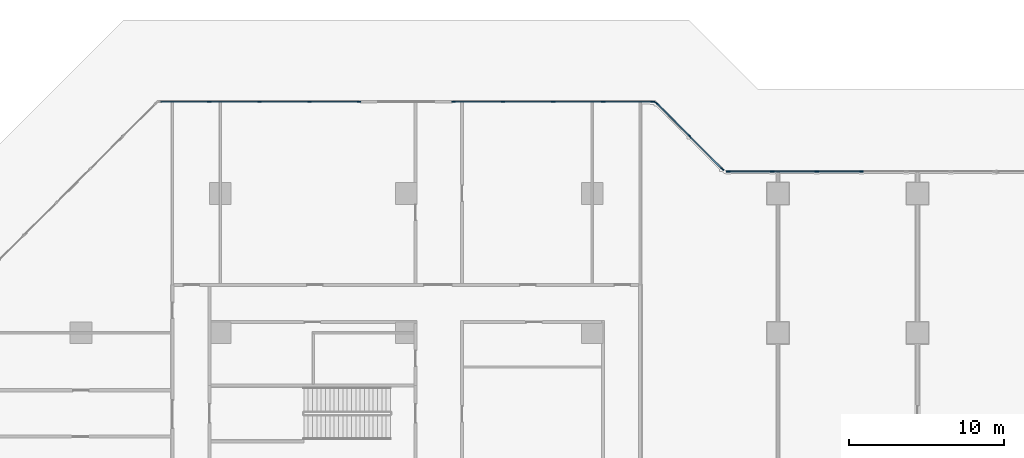
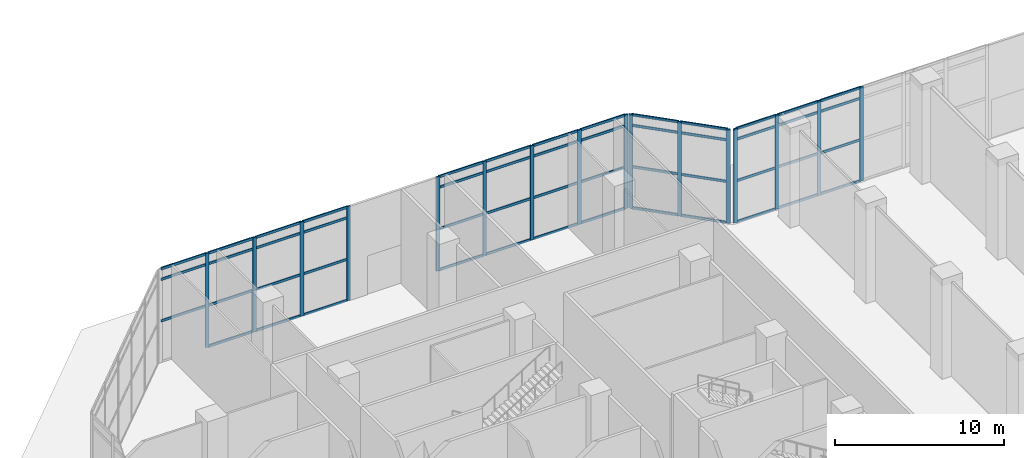
# One storey, part 9 of 34: 67 members, 4 elements without a shape of their own.
"""IFC4 building model written with IfcOpenShell, lengths in metres."""

from ifc_helpers import new_model, si_unit, direction, frame, origin, origin_2d, place, context, subcontext, project, spatial, rectangle, extrude, material, layer, layer_set, material_profile, profile_set, type_object, element, aggregate, save


model = new_model("IFC4")

# Units and contexts
model_context = context("Model", 3, precision=1e-05, world=origin(), true_north=direction((0.0, 1.0)))
body_context = subcontext(model_context, "Body", "Model", "MODEL_VIEW")
ifc_project = project(units=[si_unit("LENGTHUNIT", "METRE"), si_unit("AREAUNIT", "SQUARE_METRE"), si_unit("VOLUMEUNIT", "CUBIC_METRE"), si_unit("PLANEANGLEUNIT", "RADIAN"), si_unit("MASSUNIT", "GRAM", prefix="KILO")], contexts=[model_context])

# Site, building, storey
site_placement = place(None, origin())
site = spatial("IfcSite", under=ifc_project, at=site_placement, CompositionType="ELEMENT")
building_placement = place(site_placement, origin())
building = spatial("IfcBuilding", under=site, at=building_placement, Name="Chenar Terraces", CompositionType="ELEMENT")
storey_placement = place(building_placement, origin())
storey = spatial("IfcBuildingStorey", under=building, at=storey_placement, Name="L00", CompositionType="ELEMENT", Elevation=0.0)

# Curtain wall, members
ifc_material_1 = material(Name="Aluminium framed glazing", Category="aluminium")
ifc_layer = layer(ifc_material_1, 0.14990234375)
ifc_layer_set = layer_set([ifc_layer], Name="Aluminium framed glazing")
curtain_wall_type = type_object("IfcCurtainWallType", Name="Lobby curtain wall", PredefinedType="NOTDEFINED", material=ifc_layer_set)
placement = place(storey_placement, origin())
curtain_wall_1 = element("IfcCurtainWall", 1, at=placement, inside=storey, type_object=curtain_wall_type, Name="Lobby curtain wall", PredefinedType="NOTDEFINED")
ifc_material_2 = material(Name="Aluminium", Category="aluminium")
ifc_material_profile_1 = material_profile(ifc_material_2, rectangle(XDim=0.080078125, YDim=0.25, at=origin_2d()), Name="Lobby glazing mullion 80 x 250")
ifc_profile_set_1 = profile_set([ifc_material_profile_1], Name="Aluminium")
member_type_1 = type_object("IfcMemberType", Name="Lobby glazing mullion 80 x 250", PredefinedType="MULLION", material=ifc_profile_set_1)
member_1_placement = place(storey_placement, frame((32.404541015625, 73.581298828125, 0.0), z_axis=(0.0, 0.0, 1.0), x_axis=(-0.707106781187, -0.707106781187, 0.0)))
member_1 = element("IfcMember", 2, at=member_1_placement, type_object=member_type_1, Name="CW6-010 mullion 1", PredefinedType="MULLION", context=body_context, shape_type="SweptSolid", body=[
    extrude(rectangle(XDim=0.080078125, YDim=0.25, at=origin_2d()), origin(), (0.0, 0.0, 1.0), 6.800048828125),
])
member_2_placement = place(storey_placement, frame((30.288818359375, 75.697021484375, 0.0), z_axis=(0.0, 0.0, 1.0), x_axis=(-0.707106781187, -0.707106781187, 0.0)))
member_2 = element("IfcMember", 3, at=member_2_placement, type_object=member_type_1, Name="CW6-010 mullion 2", PredefinedType="MULLION", context=body_context, shape_type="SweptSolid", body=[
    extrude(rectangle(XDim=0.080078125, YDim=0.25, at=origin_2d()), origin(), (0.0, 0.0, 1.0), 6.800048828125),
])
member_3_placement = place(storey_placement, frame((28.173095703125, 77.8125, 0.0), z_axis=(0.0, 0.0, 1.0), x_axis=(-0.707106781187, -0.707106781187, 0.0)))
member_3 = element("IfcMember", 4, at=member_3_placement, type_object=member_type_1, Name="CW6-010 mullion 3", PredefinedType="MULLION", context=body_context, shape_type="SweptSolid", body=[
    extrude(rectangle(XDim=0.080078125, YDim=0.25, at=origin_2d()), origin(), (0.0, 0.0, 1.0), 6.800048828125),
])

curtain_wall_2 = element("IfcCurtainWall", 5, at=placement, inside=storey, type_object=curtain_wall_type, Name="Lobby curtain wall", PredefinedType="NOTDEFINED")
member_4_placement = place(storey_placement, frame((27.90185546875, 77.925048828125, 0.0), z_axis=(0.0, 0.0, 1.0), x_axis=(0.0, -1.0, 0.0)))
member_4 = element("IfcMember", 6, at=member_4_placement, type_object=member_type_1, Name="CW6-02a0 mullion 1", PredefinedType="MULLION", context=body_context, shape_type="SweptSolid", body=[
    extrude(rectangle(XDim=0.080078125, YDim=0.25, at=origin_2d()), origin(), (0.0, 0.0, 1.0), 6.800048828125),
])
member_5_placement = place(storey_placement, frame((24.70947265625, 77.925048828125, 0.0), z_axis=(0.0, 0.0, 1.0), x_axis=(0.0, -1.0, 0.0)))
member_5 = element("IfcMember", 7, at=member_5_placement, type_object=member_type_1, Name="CW6-02a0 mullion 2", PredefinedType="MULLION", context=body_context, shape_type="SweptSolid", body=[
    extrude(rectangle(XDim=0.080078125, YDim=0.25, at=origin_2d()), origin(), (0.0, 0.0, 1.0), 6.800048828125),
])
member_6_placement = place(storey_placement, frame((21.477294921875, 77.925048828125, 0.0), z_axis=(0.0, 0.0, 1.0), x_axis=(0.0, -1.0, 0.0)))
member_6 = element("IfcMember", 8, at=member_6_placement, type_object=member_type_1, Name="CW6-02a0 mullion 3", PredefinedType="MULLION", context=body_context, shape_type="SweptSolid", body=[
    extrude(rectangle(XDim=0.080078125, YDim=0.25, at=origin_2d()), origin(), (0.0, 0.0, 1.0), 6.800048828125),
])
member_7_placement = place(storey_placement, frame((18.244873046875, 77.925048828125, 0.0), z_axis=(0.0, 0.0, 1.0), x_axis=(0.0, -1.0, 0.0)))
member_7 = element("IfcMember", 9, at=member_7_placement, type_object=member_type_1, Name="CW6-02a0 mullion 4", PredefinedType="MULLION", context=body_context, shape_type="SweptSolid", body=[
    extrude(rectangle(XDim=0.080078125, YDim=0.25, at=origin_2d()), origin(), (0.0, 0.0, 1.0), 6.800048828125),
])
member_8_placement = place(storey_placement, frame((15.052490234375, 77.925048828125, 0.0), z_axis=(0.0, 0.0, 1.0), x_axis=(0.0, -1.0, 0.0)))
member_8 = element("IfcMember", 10, at=member_8_placement, type_object=member_type_1, Name="CW6-02a0 mullion 5", PredefinedType="MULLION", context=body_context, shape_type="SweptSolid", body=[
    extrude(rectangle(XDim=0.080078125, YDim=0.25, at=origin_2d()), origin(), (0.0, 0.0, 1.0), 6.800048828125),
])

curtain_wall_3 = element("IfcCurtainWall", 11, at=placement, inside=storey, type_object=curtain_wall_type, Name="Lobby curtain wall", PredefinedType="NOTDEFINED")
member_9_placement = place(storey_placement, frame((8.947509765625, 77.925048828125, 0.0), z_axis=(0.0, 0.0, 1.0), x_axis=(0.0, -1.0, 0.0)))
member_9 = element("IfcMember", 12, at=member_9_placement, type_object=member_type_1, Name="CW6-02b0 mullion 1", PredefinedType="MULLION", context=body_context, shape_type="SweptSolid", body=[
    extrude(rectangle(XDim=0.080078125, YDim=0.25, at=origin_2d()), origin(), (0.0, 0.0, 1.0), 6.800048828125),
])
member_10_placement = place(storey_placement, frame((5.755126953125, 77.925048828125, 0.0), z_axis=(0.0, 0.0, 1.0), x_axis=(0.0, -1.0, 0.0)))
member_10 = element("IfcMember", 13, at=member_10_placement, type_object=member_type_1, Name="CW6-02b0 mullion 2", PredefinedType="MULLION", context=body_context, shape_type="SweptSolid", body=[
    extrude(rectangle(XDim=0.080078125, YDim=0.25, at=origin_2d()), origin(), (0.0, 0.0, 1.0), 6.800048828125),
])
member_11_placement = place(storey_placement, frame((2.522705078125, 77.925048828125, 0.0), z_axis=(0.0, 0.0, 1.0), x_axis=(0.0, -1.0, 0.0)))
member_11 = element("IfcMember", 14, at=member_11_placement, type_object=member_type_1, Name="CW6-02b0 mullion 3", PredefinedType="MULLION", context=body_context, shape_type="SweptSolid", body=[
    extrude(rectangle(XDim=0.080078125, YDim=0.25, at=origin_2d()), origin(), (0.0, 0.0, 1.0), 6.800048828125),
])
member_12_placement = place(storey_placement, frame((-0.70947265625, 77.925048828125, 0.0), z_axis=(0.0, 0.0, 1.0), x_axis=(0.0, -1.0, 0.0)))
member_12 = element("IfcMember", 15, at=member_12_placement, type_object=member_type_1, Name="CW6-02b0 mullion 4", PredefinedType="MULLION", context=body_context, shape_type="SweptSolid", body=[
    extrude(rectangle(XDim=0.080078125, YDim=0.25, at=origin_2d()), origin(), (0.0, 0.0, 1.0), 6.800048828125),
])

curtain_wall_4 = element("IfcCurtainWall", 16, at=placement, inside=storey, type_object=curtain_wall_type, Name="Lobby curtain wall", PredefinedType="NOTDEFINED")
member_13_placement = place(storey_placement, frame((41.3876953125, 73.425048828125, 0.0), z_axis=(0.0, 0.0, 1.0), x_axis=(0.0, -1.0, 0.0)))
member_13 = element("IfcMember", 17, at=member_13_placement, type_object=member_type_1, Name="CW6-11b0 mullion 4", PredefinedType="MULLION", context=body_context, shape_type="SweptSolid", body=[
    extrude(rectangle(XDim=0.080078125, YDim=0.25, at=origin_2d()), origin(), (0.0, 0.0, 1.0), 6.800048828125),
])
member_14_placement = place(storey_placement, frame((38.505859375, 73.425048828125, 0.0), z_axis=(0.0, 0.0, 1.0), x_axis=(0.0, -1.0, 0.0)))
member_14 = element("IfcMember", 18, at=member_14_placement, type_object=member_type_1, Name="CW6-11b0 mullion 5", PredefinedType="MULLION", context=body_context, shape_type="SweptSolid", body=[
    extrude(rectangle(XDim=0.080078125, YDim=0.25, at=origin_2d()), origin(), (0.0, 0.0, 1.0), 6.800048828125),
])
member_15_placement = place(storey_placement, frame((35.623779296875, 73.425048828125, 0.0), z_axis=(0.0, 0.0, 1.0), x_axis=(0.0, -1.0, 0.0)))
member_15 = element("IfcMember", 19, at=member_15_placement, type_object=member_type_1, Name="CW6-11b0 mullion 6", PredefinedType="MULLION", context=body_context, shape_type="SweptSolid", body=[
    extrude(rectangle(XDim=0.080078125, YDim=0.25, at=origin_2d()), origin(), (0.0, 0.0, 1.0), 6.800048828125),
])
member_16_placement = place(storey_placement, frame((32.781982421875, 73.425048828125, 0.0), z_axis=(0.0, 0.0, 1.0), x_axis=(0.0, -1.0, 0.0)))
member_16 = element("IfcMember", 20, at=member_16_placement, type_object=member_type_1, Name="CW6-11b0 mullion 7", PredefinedType="MULLION", context=body_context, shape_type="SweptSolid", body=[
    extrude(rectangle(XDim=0.080078125, YDim=0.25, at=origin_2d()), origin(), (0.0, 0.0, 1.0), 6.800048828125),
])

# Member
ifc_material_3 = material(Name="Aluminium", Category="aluminium")
ifc_material_profile_2 = material_profile(ifc_material_3, rectangle(XDim=0.080078125, YDim=0.179931640625, at=origin_2d()), Name="Lobby glazing transom 80 x 180")
ifc_profile_set_2 = profile_set([ifc_material_profile_2], Name="Aluminium")
member_type_2 = type_object("IfcMemberType", Name="Lobby glazing transom 80 x 180", PredefinedType="USERDEFINED", material=ifc_profile_set_2)
member_17_placement = place(storey_placement, frame((32.376220703125, 73.609619140625, 0.0400390625), z_axis=(-0.707106781187, 0.707106781187, 0.0), x_axis=(-0.707106781187, -0.707106781187, 0.0)))
member_17 = element("IfcMember", 21, at=member_17_placement, type_object=member_type_2, Name="CW6-010 transom 1.1", ObjectType="TRANSOM", PredefinedType="USERDEFINED", context=body_context, shape_type="SweptSolid", body=[
    extrude(rectangle(XDim=0.080078125, YDim=0.179931640625, at=origin_2d()), origin(), (0.0, 0.0, 1.0), 2.911865234375),
])

member_18_placement = place(storey_placement, frame((32.376220703125, 73.609619140625, 3.0), z_axis=(-0.707106781187, 0.707106781187, 0.0), x_axis=(-0.707106781187, -0.707106781187, 0.0)))
member_18 = element("IfcMember", 22, at=member_18_placement, type_object=member_type_2, Name="CW6-010 transom 1.2", ObjectType="TRANSOM", PredefinedType="USERDEFINED", context=body_context, shape_type="SweptSolid", body=[
    extrude(rectangle(XDim=0.080078125, YDim=0.179931640625, at=origin_2d()), origin(), (0.0, 0.0, 1.0), 2.911865234375),
])

member_19_placement = place(storey_placement, frame((32.376220703125, 73.609619140625, 6.0), z_axis=(-0.707106781187, 0.707106781187, 0.0), x_axis=(-0.707106781187, -0.707106781187, 0.0)))
member_19 = element("IfcMember", 23, at=member_19_placement, type_object=member_type_2, Name="CW6-010 transom 1.3", ObjectType="TRANSOM", PredefinedType="USERDEFINED", context=body_context, shape_type="SweptSolid", body=[
    extrude(rectangle(XDim=0.080078125, YDim=0.179931640625, at=origin_2d()), origin(), (0.0, 0.0, 1.0), 2.911865234375),
])

member_20_placement = place(storey_placement, frame((32.376220703125, 73.609619140625, 6.760009765625), z_axis=(-0.707106781187, 0.707106781187, 0.0), x_axis=(-0.707106781187, -0.707106781187, 0.0)))
member_20 = element("IfcMember", 24, at=member_20_placement, type_object=member_type_2, Name="CW6-010 transom 1.4", ObjectType="TRANSOM", PredefinedType="USERDEFINED", context=body_context, shape_type="SweptSolid", body=[
    extrude(rectangle(XDim=0.080078125, YDim=0.179931640625, at=origin_2d()), origin(), (0.0, 0.0, 1.0), 2.911865234375),
])

member_21_placement = place(storey_placement, frame((30.260498046875, 75.725341796875, 0.0400390625), z_axis=(-0.707106781187, 0.707106781187, 0.0), x_axis=(-0.707106781187, -0.707106781187, 0.0)))
member_21 = element("IfcMember", 25, at=member_21_placement, type_object=member_type_2, Name="CW6-010 transom 2.1", ObjectType="TRANSOM", PredefinedType="USERDEFINED", context=body_context, shape_type="SweptSolid", body=[
    extrude(rectangle(XDim=0.080078125, YDim=0.179931640625, at=origin_2d()), origin(), (0.0, 0.0, 1.0), 2.911865234375),
])

member_22_placement = place(storey_placement, frame((30.260498046875, 75.725341796875, 3.0), z_axis=(-0.707106781187, 0.707106781187, 0.0), x_axis=(-0.707106781187, -0.707106781187, 0.0)))
member_22 = element("IfcMember", 26, at=member_22_placement, type_object=member_type_2, Name="CW6-010 transom 2.2", ObjectType="TRANSOM", PredefinedType="USERDEFINED", context=body_context, shape_type="SweptSolid", body=[
    extrude(rectangle(XDim=0.080078125, YDim=0.179931640625, at=origin_2d()), origin(), (0.0, 0.0, 1.0), 2.911865234375),
])

member_23_placement = place(storey_placement, frame((30.260498046875, 75.725341796875, 6.0), z_axis=(-0.707106781187, 0.707106781187, 0.0), x_axis=(-0.707106781187, -0.707106781187, 0.0)))
member_23 = element("IfcMember", 27, at=member_23_placement, type_object=member_type_2, Name="CW6-010 transom 2.3", ObjectType="TRANSOM", PredefinedType="USERDEFINED", context=body_context, shape_type="SweptSolid", body=[
    extrude(rectangle(XDim=0.080078125, YDim=0.179931640625, at=origin_2d()), origin(), (0.0, 0.0, 1.0), 2.911865234375),
])

member_24_placement = place(storey_placement, frame((30.260498046875, 75.725341796875, 6.760009765625), z_axis=(-0.707106781187, 0.707106781187, 0.0), x_axis=(-0.707106781187, -0.707106781187, 0.0)))
member_24 = element("IfcMember", 28, at=member_24_placement, type_object=member_type_2, Name="CW6-010 transom 2.4", ObjectType="TRANSOM", PredefinedType="USERDEFINED", context=body_context, shape_type="SweptSolid", body=[
    extrude(rectangle(XDim=0.080078125, YDim=0.179931640625, at=origin_2d()), origin(), (0.0, 0.0, 1.0), 2.911865234375),
])

aggregate(curtain_wall_1, [member_1, member_2, member_3, member_17, member_18, member_19, member_20, member_21, member_22, member_23, member_24])

member_25_placement = place(storey_placement, frame((27.86181640625, 77.925048828125, 0.0400390625), z_axis=(-1.0, 0.0, 0.0), x_axis=(0.0, -1.0, 0.0)))
member_25 = element("IfcMember", 29, at=member_25_placement, type_object=member_type_2, Name="CW6-02a0 transom 1.1", ObjectType="TRANSOM", PredefinedType="USERDEFINED", context=body_context, shape_type="SweptSolid", body=[
    extrude(rectangle(XDim=0.080078125, YDim=0.179931640625, at=origin_2d()), origin(), (0.0, 0.0, 1.0), 3.1123046875),
])

member_26_placement = place(storey_placement, frame((27.86181640625, 77.925048828125, 3.0), z_axis=(-1.0, 0.0, 0.0), x_axis=(0.0, -1.0, 0.0)))
member_26 = element("IfcMember", 30, at=member_26_placement, type_object=member_type_2, Name="CW6-02a0 transom 1.2", ObjectType="TRANSOM", PredefinedType="USERDEFINED", context=body_context, shape_type="SweptSolid", body=[
    extrude(rectangle(XDim=0.080078125, YDim=0.179931640625, at=origin_2d()), origin(), (0.0, 0.0, 1.0), 3.1123046875),
])

member_27_placement = place(storey_placement, frame((27.86181640625, 77.925048828125, 6.0), z_axis=(-1.0, 0.0, 0.0), x_axis=(0.0, -1.0, 0.0)))
member_27 = element("IfcMember", 31, at=member_27_placement, type_object=member_type_2, Name="CW6-02a0 transom 1.3", ObjectType="TRANSOM", PredefinedType="USERDEFINED", context=body_context, shape_type="SweptSolid", body=[
    extrude(rectangle(XDim=0.080078125, YDim=0.179931640625, at=origin_2d()), origin(), (0.0, 0.0, 1.0), 3.1123046875),
])

member_28_placement = place(storey_placement, frame((27.86181640625, 77.925048828125, 6.760009765625), z_axis=(-1.0, 0.0, 0.0), x_axis=(0.0, -1.0, 0.0)))
member_28 = element("IfcMember", 32, at=member_28_placement, type_object=member_type_2, Name="CW6-02a0 transom 1.4", ObjectType="TRANSOM", PredefinedType="USERDEFINED", context=body_context, shape_type="SweptSolid", body=[
    extrude(rectangle(XDim=0.080078125, YDim=0.179931640625, at=origin_2d()), origin(), (0.0, 0.0, 1.0), 3.1123046875),
])

member_29_placement = place(storey_placement, frame((24.66943359375, 77.925048828125, 0.0400390625), z_axis=(-1.0, 0.0, 0.0), x_axis=(0.0, -1.0, 0.0)))
member_29 = element("IfcMember", 33, at=member_29_placement, type_object=member_type_2, Name="CW6-02a0 transom 2.1", ObjectType="TRANSOM", PredefinedType="USERDEFINED", context=body_context, shape_type="SweptSolid", body=[
    extrude(rectangle(XDim=0.080078125, YDim=0.179931640625, at=origin_2d()), origin(), (0.0, 0.0, 1.0), 3.15234375),
])

member_30_placement = place(storey_placement, frame((24.66943359375, 77.925048828125, 3.0), z_axis=(-1.0, 0.0, 0.0), x_axis=(0.0, -1.0, 0.0)))
member_30 = element("IfcMember", 34, at=member_30_placement, type_object=member_type_2, Name="CW6-02a0 transom 2.2", ObjectType="TRANSOM", PredefinedType="USERDEFINED", context=body_context, shape_type="SweptSolid", body=[
    extrude(rectangle(XDim=0.080078125, YDim=0.179931640625, at=origin_2d()), origin(), (0.0, 0.0, 1.0), 3.15234375),
])

member_31_placement = place(storey_placement, frame((24.66943359375, 77.925048828125, 6.0), z_axis=(-1.0, 0.0, 0.0), x_axis=(0.0, -1.0, 0.0)))
member_31 = element("IfcMember", 35, at=member_31_placement, type_object=member_type_2, Name="CW6-02a0 transom 2.3", ObjectType="TRANSOM", PredefinedType="USERDEFINED", context=body_context, shape_type="SweptSolid", body=[
    extrude(rectangle(XDim=0.080078125, YDim=0.179931640625, at=origin_2d()), origin(), (0.0, 0.0, 1.0), 3.15234375),
])

member_32_placement = place(storey_placement, frame((24.66943359375, 77.925048828125, 6.760009765625), z_axis=(-1.0, 0.0, 0.0), x_axis=(0.0, -1.0, 0.0)))
member_32 = element("IfcMember", 36, at=member_32_placement, type_object=member_type_2, Name="CW6-02a0 transom 2.4", ObjectType="TRANSOM", PredefinedType="USERDEFINED", context=body_context, shape_type="SweptSolid", body=[
    extrude(rectangle(XDim=0.080078125, YDim=0.179931640625, at=origin_2d()), origin(), (0.0, 0.0, 1.0), 3.15234375),
])

member_33_placement = place(storey_placement, frame((21.437255859375, 77.925048828125, 0.0400390625), z_axis=(-1.0, 0.0, 0.0), x_axis=(0.0, -1.0, 0.0)))
member_33 = element("IfcMember", 37, at=member_33_placement, type_object=member_type_2, Name="CW6-02a0 transom 3.1", ObjectType="TRANSOM", PredefinedType="USERDEFINED", context=body_context, shape_type="SweptSolid", body=[
    extrude(rectangle(XDim=0.080078125, YDim=0.179931640625, at=origin_2d()), origin(), (0.0, 0.0, 1.0), 3.15234375),
])

member_34_placement = place(storey_placement, frame((21.437255859375, 77.925048828125, 3.0), z_axis=(-1.0, 0.0, 0.0), x_axis=(0.0, -1.0, 0.0)))
member_34 = element("IfcMember", 38, at=member_34_placement, type_object=member_type_2, Name="CW6-02a0 transom 3.2", ObjectType="TRANSOM", PredefinedType="USERDEFINED", context=body_context, shape_type="SweptSolid", body=[
    extrude(rectangle(XDim=0.080078125, YDim=0.179931640625, at=origin_2d()), origin(), (0.0, 0.0, 1.0), 3.15234375),
])

member_35_placement = place(storey_placement, frame((21.437255859375, 77.925048828125, 6.0), z_axis=(-1.0, 0.0, 0.0), x_axis=(0.0, -1.0, 0.0)))
member_35 = element("IfcMember", 39, at=member_35_placement, type_object=member_type_2, Name="CW6-02a0 transom 3.3", ObjectType="TRANSOM", PredefinedType="USERDEFINED", context=body_context, shape_type="SweptSolid", body=[
    extrude(rectangle(XDim=0.080078125, YDim=0.179931640625, at=origin_2d()), origin(), (0.0, 0.0, 1.0), 3.15234375),
])

member_36_placement = place(storey_placement, frame((21.437255859375, 77.925048828125, 6.760009765625), z_axis=(-1.0, 0.0, 0.0), x_axis=(0.0, -1.0, 0.0)))
member_36 = element("IfcMember", 40, at=member_36_placement, type_object=member_type_2, Name="CW6-02a0 transom 3.4", ObjectType="TRANSOM", PredefinedType="USERDEFINED", context=body_context, shape_type="SweptSolid", body=[
    extrude(rectangle(XDim=0.080078125, YDim=0.179931640625, at=origin_2d()), origin(), (0.0, 0.0, 1.0), 3.15234375),
])

member_37_placement = place(storey_placement, frame((18.204833984375, 77.925048828125, 0.0400390625), z_axis=(-1.0, 0.0, 0.0), x_axis=(0.0, -1.0, 0.0)))
member_37 = element("IfcMember", 41, at=member_37_placement, type_object=member_type_2, Name="CW6-02a0 transom 4.1", ObjectType="TRANSOM", PredefinedType="USERDEFINED", context=body_context, shape_type="SweptSolid", body=[
    extrude(rectangle(XDim=0.080078125, YDim=0.179931640625, at=origin_2d()), origin(), (0.0, 0.0, 1.0), 3.1123046875),
])

member_38_placement = place(storey_placement, frame((18.204833984375, 77.925048828125, 3.0), z_axis=(-1.0, 0.0, 0.0), x_axis=(0.0, -1.0, 0.0)))
member_38 = element("IfcMember", 42, at=member_38_placement, type_object=member_type_2, Name="CW6-02a0 transom 4.2", ObjectType="TRANSOM", PredefinedType="USERDEFINED", context=body_context, shape_type="SweptSolid", body=[
    extrude(rectangle(XDim=0.080078125, YDim=0.179931640625, at=origin_2d()), origin(), (0.0, 0.0, 1.0), 3.1123046875),
])

member_39_placement = place(storey_placement, frame((18.204833984375, 77.925048828125, 6.0), z_axis=(-1.0, 0.0, 0.0), x_axis=(0.0, -1.0, 0.0)))
member_39 = element("IfcMember", 43, at=member_39_placement, type_object=member_type_2, Name="CW6-02a0 transom 4.3", ObjectType="TRANSOM", PredefinedType="USERDEFINED", context=body_context, shape_type="SweptSolid", body=[
    extrude(rectangle(XDim=0.080078125, YDim=0.179931640625, at=origin_2d()), origin(), (0.0, 0.0, 1.0), 3.1123046875),
])

member_40_placement = place(storey_placement, frame((18.204833984375, 77.925048828125, 6.760009765625), z_axis=(-1.0, 0.0, 0.0), x_axis=(0.0, -1.0, 0.0)))
member_40 = element("IfcMember", 44, at=member_40_placement, type_object=member_type_2, Name="CW6-02a0 transom 4.4", ObjectType="TRANSOM", PredefinedType="USERDEFINED", context=body_context, shape_type="SweptSolid", body=[
    extrude(rectangle(XDim=0.080078125, YDim=0.179931640625, at=origin_2d()), origin(), (0.0, 0.0, 1.0), 3.1123046875),
])

aggregate(curtain_wall_2, [member_4, member_5, member_6, member_7, member_8, member_25, member_26, member_27, member_28, member_29, member_30, member_31, member_32, member_33, member_34, member_35, member_36, member_37, member_38, member_39, member_40])

member_41_placement = place(storey_placement, frame((8.907470703125, 77.925048828125, 0.0400390625), z_axis=(-1.0, 0.0, 0.0), x_axis=(0.0, -1.0, 0.0)))
member_41 = element("IfcMember", 45, at=member_41_placement, type_object=member_type_2, Name="CW6-02b0 transom 1.1", ObjectType="TRANSOM", PredefinedType="USERDEFINED", context=body_context, shape_type="SweptSolid", body=[
    extrude(rectangle(XDim=0.080078125, YDim=0.179931640625, at=origin_2d()), origin(), (0.0, 0.0, 1.0), 3.1123046875),
])

member_42_placement = place(storey_placement, frame((8.907470703125, 77.925048828125, 3.0), z_axis=(-1.0, 0.0, 0.0), x_axis=(0.0, -1.0, 0.0)))
member_42 = element("IfcMember", 46, at=member_42_placement, type_object=member_type_2, Name="CW6-02b0 transom 1.2", ObjectType="TRANSOM", PredefinedType="USERDEFINED", context=body_context, shape_type="SweptSolid", body=[
    extrude(rectangle(XDim=0.080078125, YDim=0.179931640625, at=origin_2d()), origin(), (0.0, 0.0, 1.0), 3.1123046875),
])

member_43_placement = place(storey_placement, frame((8.907470703125, 77.925048828125, 6.0), z_axis=(-1.0, 0.0, 0.0), x_axis=(0.0, -1.0, 0.0)))
member_43 = element("IfcMember", 47, at=member_43_placement, type_object=member_type_2, Name="CW6-02b0 transom 1.3", ObjectType="TRANSOM", PredefinedType="USERDEFINED", context=body_context, shape_type="SweptSolid", body=[
    extrude(rectangle(XDim=0.080078125, YDim=0.179931640625, at=origin_2d()), origin(), (0.0, 0.0, 1.0), 3.1123046875),
])

member_44_placement = place(storey_placement, frame((8.907470703125, 77.925048828125, 6.760009765625), z_axis=(-1.0, 0.0, 0.0), x_axis=(0.0, -1.0, 0.0)))
member_44 = element("IfcMember", 48, at=member_44_placement, type_object=member_type_2, Name="CW6-02b0 transom 1.4", ObjectType="TRANSOM", PredefinedType="USERDEFINED", context=body_context, shape_type="SweptSolid", body=[
    extrude(rectangle(XDim=0.080078125, YDim=0.179931640625, at=origin_2d()), origin(), (0.0, 0.0, 1.0), 3.1123046875),
])

member_45_placement = place(storey_placement, frame((5.715087890625, 77.925048828125, 0.0400390625), z_axis=(-1.0, 0.0, 0.0), x_axis=(0.0, -1.0, 0.0)))
member_45 = element("IfcMember", 49, at=member_45_placement, type_object=member_type_2, Name="CW6-02b0 transom 2.1", ObjectType="TRANSOM", PredefinedType="USERDEFINED", context=body_context, shape_type="SweptSolid", body=[
    extrude(rectangle(XDim=0.080078125, YDim=0.179931640625, at=origin_2d()), origin(), (0.0, 0.0, 1.0), 3.15234375),
])

member_46_placement = place(storey_placement, frame((5.715087890625, 77.925048828125, 3.0), z_axis=(-1.0, 0.0, 0.0), x_axis=(0.0, -1.0, 0.0)))
member_46 = element("IfcMember", 50, at=member_46_placement, type_object=member_type_2, Name="CW6-02b0 transom 2.2", ObjectType="TRANSOM", PredefinedType="USERDEFINED", context=body_context, shape_type="SweptSolid", body=[
    extrude(rectangle(XDim=0.080078125, YDim=0.179931640625, at=origin_2d()), origin(), (0.0, 0.0, 1.0), 3.15234375),
])

member_47_placement = place(storey_placement, frame((5.715087890625, 77.925048828125, 6.0), z_axis=(-1.0, 0.0, 0.0), x_axis=(0.0, -1.0, 0.0)))
member_47 = element("IfcMember", 51, at=member_47_placement, type_object=member_type_2, Name="CW6-02b0 transom 2.3", ObjectType="TRANSOM", PredefinedType="USERDEFINED", context=body_context, shape_type="SweptSolid", body=[
    extrude(rectangle(XDim=0.080078125, YDim=0.179931640625, at=origin_2d()), origin(), (0.0, 0.0, 1.0), 3.15234375),
])

member_48_placement = place(storey_placement, frame((5.715087890625, 77.925048828125, 6.760009765625), z_axis=(-1.0, 0.0, 0.0), x_axis=(0.0, -1.0, 0.0)))
member_48 = element("IfcMember", 52, at=member_48_placement, type_object=member_type_2, Name="CW6-02b0 transom 2.4", ObjectType="TRANSOM", PredefinedType="USERDEFINED", context=body_context, shape_type="SweptSolid", body=[
    extrude(rectangle(XDim=0.080078125, YDim=0.179931640625, at=origin_2d()), origin(), (0.0, 0.0, 1.0), 3.15234375),
])

member_49_placement = place(storey_placement, frame((2.48291015625, 77.925048828125, 0.0400390625), z_axis=(-1.0, 0.0, 0.0), x_axis=(0.0, -1.0, 0.0)))
member_49 = element("IfcMember", 53, at=member_49_placement, type_object=member_type_2, Name="CW6-02b0 transom 3.1", ObjectType="TRANSOM", PredefinedType="USERDEFINED", context=body_context, shape_type="SweptSolid", body=[
    extrude(rectangle(XDim=0.080078125, YDim=0.179931640625, at=origin_2d()), origin(), (0.0, 0.0, 1.0), 3.15234375),
])

member_50_placement = place(storey_placement, frame((2.48291015625, 77.925048828125, 3.0), z_axis=(-1.0, 0.0, 0.0), x_axis=(0.0, -1.0, 0.0)))
member_50 = element("IfcMember", 54, at=member_50_placement, type_object=member_type_2, Name="CW6-02b0 transom 3.2", ObjectType="TRANSOM", PredefinedType="USERDEFINED", context=body_context, shape_type="SweptSolid", body=[
    extrude(rectangle(XDim=0.080078125, YDim=0.179931640625, at=origin_2d()), origin(), (0.0, 0.0, 1.0), 3.15234375),
])

member_51_placement = place(storey_placement, frame((2.48291015625, 77.925048828125, 6.0), z_axis=(-1.0, 0.0, 0.0), x_axis=(0.0, -1.0, 0.0)))
member_51 = element("IfcMember", 55, at=member_51_placement, type_object=member_type_2, Name="CW6-02b0 transom 3.3", ObjectType="TRANSOM", PredefinedType="USERDEFINED", context=body_context, shape_type="SweptSolid", body=[
    extrude(rectangle(XDim=0.080078125, YDim=0.179931640625, at=origin_2d()), origin(), (0.0, 0.0, 1.0), 3.15234375),
])

member_52_placement = place(storey_placement, frame((2.48291015625, 77.925048828125, 6.760009765625), z_axis=(-1.0, 0.0, 0.0), x_axis=(0.0, -1.0, 0.0)))
member_52 = element("IfcMember", 56, at=member_52_placement, type_object=member_type_2, Name="CW6-02b0 transom 3.4", ObjectType="TRANSOM", PredefinedType="USERDEFINED", context=body_context, shape_type="SweptSolid", body=[
    extrude(rectangle(XDim=0.080078125, YDim=0.179931640625, at=origin_2d()), origin(), (0.0, 0.0, 1.0), 3.15234375),
])

member_53_placement = place(storey_placement, frame((-0.74951171875, 77.925048828125, 3.0), z_axis=(-1.0, 0.0, 0.0), x_axis=(0.0, -1.0, 0.0)))
member_53 = element("IfcMember", 57, at=member_53_placement, type_object=member_type_2, Name="CW6-02b0 transom 4.2", ObjectType="TRANSOM", PredefinedType="USERDEFINED", context=body_context, shape_type="SweptSolid", body=[
    extrude(rectangle(XDim=0.080078125, YDim=0.179931640625, at=origin_2d()), origin(), (0.0, 0.0, 1.0), 3.1123046875),
])

member_54_placement = place(storey_placement, frame((-0.74951171875, 77.925048828125, 6.0), z_axis=(-1.0, 0.0, 0.0), x_axis=(0.0, -1.0, 0.0)))
member_54 = element("IfcMember", 58, at=member_54_placement, type_object=member_type_2, Name="CW6-02b0 transom 4.3", ObjectType="TRANSOM", PredefinedType="USERDEFINED", context=body_context, shape_type="SweptSolid", body=[
    extrude(rectangle(XDim=0.080078125, YDim=0.179931640625, at=origin_2d()), origin(), (0.0, 0.0, 1.0), 3.1123046875),
])

member_55_placement = place(storey_placement, frame((-0.74951171875, 77.925048828125, 6.760009765625), z_axis=(-1.0, 0.0, 0.0), x_axis=(0.0, -1.0, 0.0)))
member_55 = element("IfcMember", 59, at=member_55_placement, type_object=member_type_2, Name="CW6-02b0 transom 4.4", ObjectType="TRANSOM", PredefinedType="USERDEFINED", context=body_context, shape_type="SweptSolid", body=[
    extrude(rectangle(XDim=0.080078125, YDim=0.179931640625, at=origin_2d()), origin(), (0.0, 0.0, 1.0), 3.1123046875),
])

aggregate(curtain_wall_3, [member_9, member_10, member_11, member_12, member_41, member_42, member_43, member_44, member_45, member_46, member_47, member_48, member_49, member_50, member_51, member_52, member_53, member_54, member_55])

member_56_placement = place(storey_placement, frame((41.34765625, 73.425048828125, 0.0400390625), z_axis=(-1.0, 0.0, 0.0), x_axis=(0.0, -1.0, 0.0)))
member_56 = element("IfcMember", 60, at=member_56_placement, type_object=member_type_2, Name="CW6-11b0 transom 4.1", ObjectType="TRANSOM", PredefinedType="USERDEFINED", context=body_context, shape_type="SweptSolid", body=[
    extrude(rectangle(XDim=0.080078125, YDim=0.179931640625, at=origin_2d()), origin(), (0.0, 0.0, 1.0), 2.802001953125),
])

member_57_placement = place(storey_placement, frame((41.34765625, 73.425048828125, 3.0), z_axis=(-1.0, 0.0, 0.0), x_axis=(0.0, -1.0, 0.0)))
member_57 = element("IfcMember", 61, at=member_57_placement, type_object=member_type_2, Name="CW6-11b0 transom 4.2", ObjectType="TRANSOM", PredefinedType="USERDEFINED", context=body_context, shape_type="SweptSolid", body=[
    extrude(rectangle(XDim=0.080078125, YDim=0.179931640625, at=origin_2d()), origin(), (0.0, 0.0, 1.0), 2.802001953125),
])

member_58_placement = place(storey_placement, frame((41.34765625, 73.425048828125, 6.0), z_axis=(-1.0, 0.0, 0.0), x_axis=(0.0, -1.0, 0.0)))
member_58 = element("IfcMember", 62, at=member_58_placement, type_object=member_type_2, Name="CW6-11b0 transom 4.3", ObjectType="TRANSOM", PredefinedType="USERDEFINED", context=body_context, shape_type="SweptSolid", body=[
    extrude(rectangle(XDim=0.080078125, YDim=0.179931640625, at=origin_2d()), origin(), (0.0, 0.0, 1.0), 2.802001953125),
])

member_59_placement = place(storey_placement, frame((41.34765625, 73.425048828125, 6.760009765625), z_axis=(-1.0, 0.0, 0.0), x_axis=(0.0, -1.0, 0.0)))
member_59 = element("IfcMember", 63, at=member_59_placement, type_object=member_type_2, Name="CW6-11b0 transom 4.4", ObjectType="TRANSOM", PredefinedType="USERDEFINED", context=body_context, shape_type="SweptSolid", body=[
    extrude(rectangle(XDim=0.080078125, YDim=0.179931640625, at=origin_2d()), origin(), (0.0, 0.0, 1.0), 2.802001953125),
])

member_60_placement = place(storey_placement, frame((38.4658203125, 73.425048828125, 0.0400390625), z_axis=(-1.0, 0.0, 0.0), x_axis=(0.0, -1.0, 0.0)))
member_60 = element("IfcMember", 64, at=member_60_placement, type_object=member_type_2, Name="CW6-11b0 transom 5.1", ObjectType="TRANSOM", PredefinedType="USERDEFINED", context=body_context, shape_type="SweptSolid", body=[
    extrude(rectangle(XDim=0.080078125, YDim=0.179931640625, at=origin_2d()), origin(), (0.0, 0.0, 1.0), 2.802001953125),
])

member_61_placement = place(storey_placement, frame((38.4658203125, 73.425048828125, 3.0), z_axis=(-1.0, 0.0, 0.0), x_axis=(0.0, -1.0, 0.0)))
member_61 = element("IfcMember", 65, at=member_61_placement, type_object=member_type_2, Name="CW6-11b0 transom 5.2", ObjectType="TRANSOM", PredefinedType="USERDEFINED", context=body_context, shape_type="SweptSolid", body=[
    extrude(rectangle(XDim=0.080078125, YDim=0.179931640625, at=origin_2d()), origin(), (0.0, 0.0, 1.0), 2.802001953125),
])

member_62_placement = place(storey_placement, frame((38.4658203125, 73.425048828125, 6.0), z_axis=(-1.0, 0.0, 0.0), x_axis=(0.0, -1.0, 0.0)))
member_62 = element("IfcMember", 66, at=member_62_placement, type_object=member_type_2, Name="CW6-11b0 transom 5.3", ObjectType="TRANSOM", PredefinedType="USERDEFINED", context=body_context, shape_type="SweptSolid", body=[
    extrude(rectangle(XDim=0.080078125, YDim=0.179931640625, at=origin_2d()), origin(), (0.0, 0.0, 1.0), 2.802001953125),
])

member_63_placement = place(storey_placement, frame((38.4658203125, 73.425048828125, 6.760009765625), z_axis=(-1.0, 0.0, 0.0), x_axis=(0.0, -1.0, 0.0)))
member_63 = element("IfcMember", 67, at=member_63_placement, type_object=member_type_2, Name="CW6-11b0 transom 5.4", ObjectType="TRANSOM", PredefinedType="USERDEFINED", context=body_context, shape_type="SweptSolid", body=[
    extrude(rectangle(XDim=0.080078125, YDim=0.179931640625, at=origin_2d()), origin(), (0.0, 0.0, 1.0), 2.802001953125),
])

member_64_placement = place(storey_placement, frame((35.583740234375, 73.425048828125, 0.0400390625), z_axis=(-1.0, 0.0, 0.0), x_axis=(0.0, -1.0, 0.0)))
member_64 = element("IfcMember", 68, at=member_64_placement, type_object=member_type_2, Name="CW6-11b0 transom 6.1", ObjectType="TRANSOM", PredefinedType="USERDEFINED", context=body_context, shape_type="SweptSolid", body=[
    extrude(rectangle(XDim=0.080078125, YDim=0.179931640625, at=origin_2d()), origin(), (0.0, 0.0, 1.0), 2.76171875),
])

member_65_placement = place(storey_placement, frame((35.583740234375, 73.425048828125, 3.0), z_axis=(-1.0, 0.0, 0.0), x_axis=(0.0, -1.0, 0.0)))
member_65 = element("IfcMember", 69, at=member_65_placement, type_object=member_type_2, Name="CW6-11b0 transom 6.2", ObjectType="TRANSOM", PredefinedType="USERDEFINED", context=body_context, shape_type="SweptSolid", body=[
    extrude(rectangle(XDim=0.080078125, YDim=0.179931640625, at=origin_2d()), origin(), (0.0, 0.0, 1.0), 2.76171875),
])

member_66_placement = place(storey_placement, frame((35.583740234375, 73.425048828125, 6.0), z_axis=(-1.0, 0.0, 0.0), x_axis=(0.0, -1.0, 0.0)))
member_66 = element("IfcMember", 70, at=member_66_placement, type_object=member_type_2, Name="CW6-11b0 transom 6.3", ObjectType="TRANSOM", PredefinedType="USERDEFINED", context=body_context, shape_type="SweptSolid", body=[
    extrude(rectangle(XDim=0.080078125, YDim=0.179931640625, at=origin_2d()), origin(), (0.0, 0.0, 1.0), 2.76171875),
])

member_67_placement = place(storey_placement, frame((35.583740234375, 73.425048828125, 6.760009765625), z_axis=(-1.0, 0.0, 0.0), x_axis=(0.0, -1.0, 0.0)))
member_67 = element("IfcMember", 71, at=member_67_placement, type_object=member_type_2, Name="CW6-11b0 transom 6.4", ObjectType="TRANSOM", PredefinedType="USERDEFINED", context=body_context, shape_type="SweptSolid", body=[
    extrude(rectangle(XDim=0.080078125, YDim=0.179931640625, at=origin_2d()), origin(), (0.0, 0.0, 1.0), 2.76171875),
])

aggregate(curtain_wall_4, [member_13, member_14, member_15, member_16, member_56, member_57, member_58, member_59, member_60, member_61, member_62, member_63, member_64, member_65, member_66, member_67])

save(model, "model.ifc")
